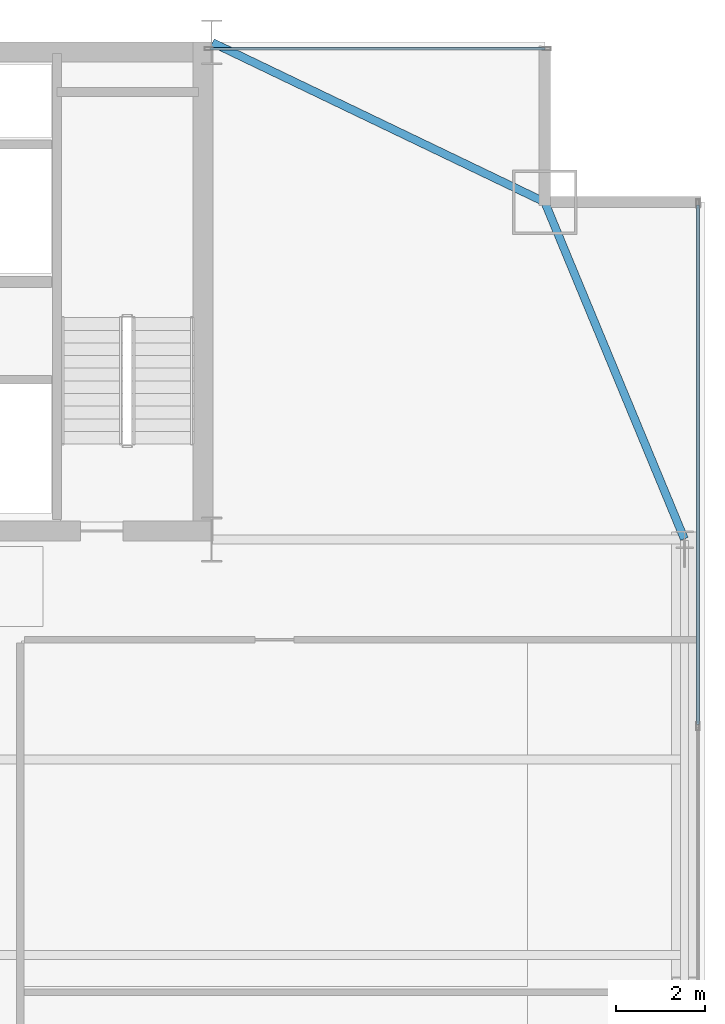
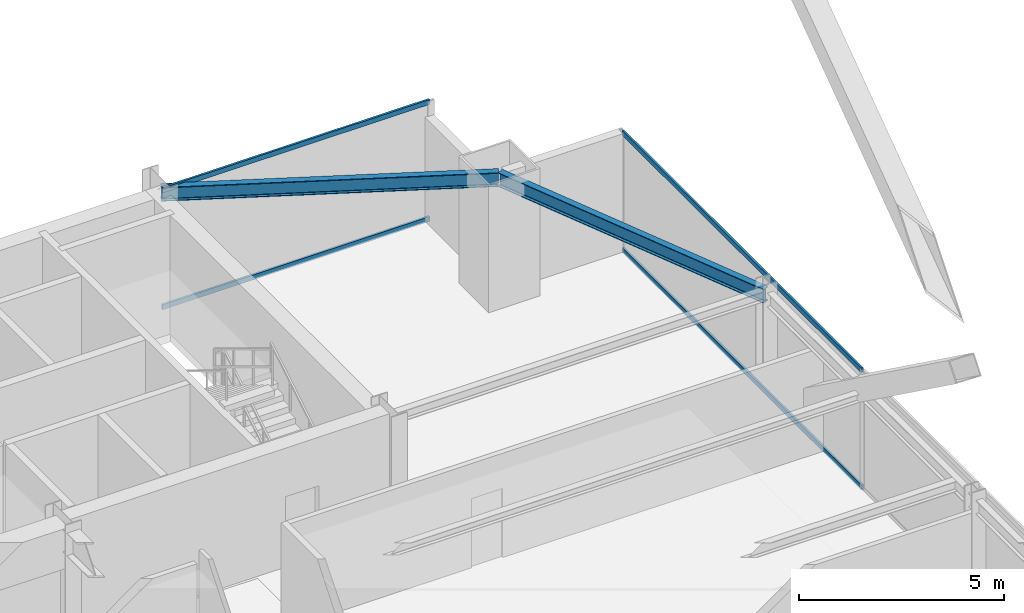
# One storey, part 26 of 37: 4 members, 2 beams, 2 elements without a shape of their own.
"""IFC4 building model written with IfcOpenShell, lengths in metres."""

import ifcopenshell
import ifcopenshell.guid

model = None  # the IFC model being written
_history = None  # IfcOwnerHistory: only IFC2X3 demands one
_inside = {}  # id of a spatial element -> (the spatial element, [elements in it])
_under = {}  # id of a project, library or spatial element -> (it, [spatial elements below it])
_declared = {}  # id of a project -> (the project, [libraries it declares])
_typed = {}  # id of a type object -> (the type object, [elements of that type])
_made_of = {}  # id of a material, layer set ... -> (it, [elements and type objects made of it])


def new_model(schema):
    """Start an empty IFC model of exactly this schema.

    Asked for "IFC4X3", IfcOpenShell would pick the latest addendum, in which some entities
    have other attributes; the version numbers below select the first issue.
    IFC2X3 requires an IfcOwnerHistory on every rooted entity: one is made here for all.
    """
    global model, _history
    if schema == "IFC4X3":
        model = ifcopenshell.file(schema_version=(4, 3, 0, 0))
    else:
        model = ifcopenshell.file(schema=schema)
    _inside.clear()
    _under.clear()
    _declared.clear()
    _typed.clear()
    _made_of.clear()
    _history = None
    if model.schema == "IFC2X3":
        org = make("IfcOrganization", Name="unknown")
        user = make(
            "IfcPersonAndOrganization",
            ThePerson=make("IfcPerson", FamilyName="unknown"),
            TheOrganization=org,
        )
        app = make(
            "IfcApplication",
            ApplicationDeveloper=org,
            Version="unknown",
            ApplicationFullName="unknown",
            ApplicationIdentifier="unknown",
        )
        _history = make(
            "IfcOwnerHistory",
            OwningUser=user,
            OwningApplication=app,
            ChangeAction="ADDED",
            CreationDate=0,
        )
    return model


def make(cls, **values):
    """One entity of the class cls with the attributes given. An attribute that is None is left unset."""
    return model.create_entity(
        cls, **{name: value for name, value in values.items() if value is not None}
    )


def rooted(cls, **values):
    """An entity with a GlobalId (a new one), such as an element, a storey or a relation."""
    return make(cls, GlobalId=ifcopenshell.guid.new(), OwnerHistory=_history, **values)


def si_unit(unit_type, name, prefix=None):
    """IfcSIUnit, for example si_unit("LENGTHUNIT", "METRE", prefix="MILLI")."""
    return make("IfcSIUnit", UnitType=unit_type, Prefix=prefix, Name=name)


def assignment(units):
    """IfcUnitAssignment: the units of a project."""
    return None if units is None else make("IfcUnitAssignment", Units=units)


def point(xyz):
    """IfcCartesianPoint."""
    return None if xyz is None else make("IfcCartesianPoint", Coordinates=xyz)


def direction(xyz):
    """IfcDirection."""
    return None if xyz is None else make("IfcDirection", DirectionRatios=xyz)


def frame(location, z_axis=None, x_axis=None):
    """IfcAxis2Placement3D, a coordinate frame: its origin and axes. An axis left out is left unset."""
    return make(
        "IfcAxis2Placement3D",
        Location=point(location),
        Axis=direction(z_axis),
        RefDirection=direction(x_axis),
    )


def frame_2d(location, x_axis=None):
    """IfcAxis2Placement2D, a coordinate frame in the plane: its origin and x axis."""
    return make(
        "IfcAxis2Placement2D", Location=point(location), RefDirection=direction(x_axis)
    )


def origin():
    """The frame at (0, 0, 0) with its axes left unset."""
    return frame((0.0, 0.0, 0.0))


def origin_2d():
    """The frame at (0, 0) in the plane with its x axis left unset."""
    return frame_2d((0.0, 0.0))


def place(relative_to, where):
    """IfcLocalPlacement: puts the frame where relative to a parent placement (None: the world)."""
    return make(
        "IfcLocalPlacement", PlacementRelTo=relative_to, RelativePlacement=where
    )


def context(
    kind, dimensions, precision=None, world=None, true_north=None, identifier=None
):
    """IfcGeometricRepresentationContext, for example the 3D "Model" context."""
    return make(
        "IfcGeometricRepresentationContext",
        ContextIdentifier=identifier,
        ContextType=kind,
        CoordinateSpaceDimension=dimensions,
        Precision=precision,
        WorldCoordinateSystem=world,
        TrueNorth=true_north,
    )


def subcontext(parent, identifier, kind, view, scale=None):
    """IfcGeometricRepresentationSubContext, for example "Body" below "Model"."""
    return make(
        "IfcGeometricRepresentationSubContext",
        ContextIdentifier=identifier,
        ContextType=kind,
        ParentContext=parent,
        TargetScale=scale,
        TargetView=view,
    )


def project(units=None, contexts=None):
    """IfcProject with its units and contexts."""
    return rooted(
        "IfcProject",
        Name="project",
        RepresentationContexts=contexts,
        UnitsInContext=assignment(units),
    )


def spatial(cls, under=None, at=None, **own):
    """A site, building, storey or space (cls), placed at a placement, below another one or the project."""
    s = rooted(cls, ObjectPlacement=at, **own)
    if under is not None:
        _under.setdefault(under.id(), (under, []))[1].append(s)
    return s


def profile(cls, at=None, kind="AREA", **sizes):
    """A parametric profile (cls). Its sizes go by their IFC names, for example OverallWidth=200.0."""
    return make(cls, ProfileType=kind, Position=at, **sizes)


def hollow_rectangle(**sizes):
    """IfcRectangleHollowProfileDef."""
    return profile("IfcRectangleHollowProfileDef", **sizes)


def i_section(**sizes):
    """IfcIShapeProfileDef."""
    return profile("IfcIShapeProfileDef", **sizes)


def extrude(swept, where, along, depth):
    """IfcExtrudedAreaSolid: the profile swept, set in the frame where, extruded along a direction by depth."""
    return make(
        "IfcExtrudedAreaSolid",
        SweptArea=swept,
        Position=where,
        ExtrudedDirection=direction(along),
        Depth=depth,
    )


def shape(context_of_items, identifier, shape_type, items):
    """IfcShapeRepresentation: the items that make up one representation, for example the "Body"."""
    return make(
        "IfcShapeRepresentation",
        ContextOfItems=context_of_items,
        RepresentationIdentifier=identifier,
        RepresentationType=shape_type,
        Items=items,
    )


def source(mapping_origin, context_of_items, identifier, shape_type, items):
    """IfcRepresentationMap: a shape defined once, which mapped items show again and again."""
    return make(
        "IfcRepresentationMap",
        MappingOrigin=mapping_origin,
        MappedRepresentation=shape(context_of_items, identifier, shape_type, items),
    )


def transform(
    local_origin,
    x_axis=None,
    y_axis=None,
    z_axis=None,
    scale=None,
    scale2=None,
    scale3=None,
    uniform=True,
):
    """IfcCartesianTransformationOperator3D, or its non-uniform kind. x_axis, y_axis, z_axis: its Axis1, 2, 3."""
    if uniform:
        return make(
            "IfcCartesianTransformationOperator3D",
            Axis1=direction(x_axis),
            Axis2=direction(y_axis),
            LocalOrigin=point(local_origin),
            Scale=scale,
            Axis3=direction(z_axis),
        )
    return make(
        "IfcCartesianTransformationOperator3DnonUniform",
        Axis1=direction(x_axis),
        Axis2=direction(y_axis),
        LocalOrigin=point(local_origin),
        Scale=scale,
        Axis3=direction(z_axis),
        Scale2=scale2,
        Scale3=scale3,
    )


def mapped(mapping_source, mapping_target):
    """IfcMappedItem: shows the shape of a source again, moved by a transform."""
    return make(
        "IfcMappedItem", MappingSource=mapping_source, MappingTarget=mapping_target
    )


def material(Name=None, Category=None):
    """IfcMaterial."""
    return make("IfcMaterial", Name=Name, Category=Category)


def layer(
    of_material, thickness, ventilated=None, Name=None, Category=None, Priority=None
):
    """IfcMaterialLayer: one layer of a wall or slab, of a material (None: an air gap)."""
    return make(
        "IfcMaterialLayer",
        Material=of_material,
        LayerThickness=thickness,
        IsVentilated=ventilated,
        Name=Name,
        Category=Category,
        Priority=Priority,
    )


def layer_set(layers, Name=None):
    """IfcMaterialLayerSet."""
    return make("IfcMaterialLayerSet", MaterialLayers=layers, LayerSetName=Name)


def material_profile(
    of_material, cross_section, Name=None, Category=None, Priority=None
):
    """IfcMaterialProfile: a cross section and its material."""
    return make(
        "IfcMaterialProfile",
        Name=Name,
        Material=of_material,
        Profile=cross_section,
        Priority=Priority,
        Category=Category,
    )


def profile_set(profiles, Name=None, composite=None):
    """IfcMaterialProfileSet."""
    return make(
        "IfcMaterialProfileSet",
        Name=Name,
        MaterialProfiles=profiles,
        CompositeProfile=composite,
    )


def made_of(thing, what):
    """Note that an element or type object is made of a material, layer set ...; save() writes the relation."""
    if what is not None:
        _made_of.setdefault(what.id(), (what, []))[1].append(thing)
    return thing


def type_object(cls, material=None, **own):
    """A type object (cls), such as IfcWallType, which elements share."""
    return made_of(rooted(cls, **own), material)


def type_shapes(of_type, sources):
    """Give a type object the sources (RepresentationMaps) that its elements show as mapped items."""
    of_type.RepresentationMaps = sources


def element(
    cls,
    number,
    at=None,
    inside=None,
    cuts=None,
    type_object=None,
    material=None,
    context=None,
    identifier="Body",
    shape_type=None,
    held_by="IfcProductDefinitionShape",
    body=None,
    shapes=None,
    **own,
):
    """One element of the class cls, such as IfcWall. Its Tag is "e" and its number.

    at: its placement. inside: the storey or other place that contains it. cuts: it is an
    opening in that element (IfcRelVoidsElement). A single representation is given by context,
    identifier, shape_type and body (its items); several are given by shapes. held_by: the class
    of the entity that holds the representations. save() writes the other relations.
    """
    e = rooted(cls, Tag="e%d" % number, ObjectPlacement=at, **own)
    if body is not None:
        shapes = [shape(context, identifier, shape_type, body)]
    if shapes is not None:
        e.Representation = make(held_by, Representations=shapes)
    if inside is not None:
        _inside.setdefault(inside.id(), (inside, []))[1].append(e)
    if cuts is not None:
        rooted(
            "IfcRelVoidsElement", RelatingBuildingElement=cuts, RelatedOpeningElement=e
        )
    if type_object is not None:
        _typed.setdefault(type_object.id(), (type_object, []))[1].append(e)
    return made_of(e, material)


def aggregate(whole, parts):
    """IfcRelAggregates: a whole, such as a stair, and the parts it consists of."""
    return rooted("IfcRelAggregates", RelatingObject=whole, RelatedObjects=parts)


def save(model, path):
    """Write the relations noted so far, then the file.

    IfcRelAggregates (storeys below a building ...), IfcRelContainedInSpatialStructure (elements
    in a storey), IfcRelDefinesByType, IfcRelAssociatesMaterial and IfcRelDeclares: one each for
    every whole, place, type object, material and project.
    """
    for whole, parts in _under.values():
        aggregate(whole, parts)
    for where, things in _inside.values():
        rooted(
            "IfcRelContainedInSpatialStructure",
            RelatedElements=things,
            RelatingStructure=where,
        )
    for kind, things in _typed.values():
        rooted("IfcRelDefinesByType", RelatedObjects=things, RelatingType=kind)
    for what, things in _made_of.values():
        rooted("IfcRelAssociatesMaterial", RelatedObjects=things, RelatingMaterial=what)
    for by, libraries in _declared.values():
        rooted("IfcRelDeclares", RelatingContext=by, RelatedDefinitions=libraries)
    model.write(path)


model = new_model("IFC4")

# Units and contexts
model_context = context("Model", 3, precision=1e-05, world=origin(), true_north=direction((0.0, 1.0)))
body_context = subcontext(model_context, "Body", "Model", "MODEL_VIEW")
ifc_project = project(units=[si_unit("LENGTHUNIT", "METRE"), si_unit("AREAUNIT", "SQUARE_METRE"), si_unit("VOLUMEUNIT", "CUBIC_METRE"), si_unit("PLANEANGLEUNIT", "RADIAN"), si_unit("MASSUNIT", "GRAM", prefix="KILO")], contexts=[model_context])

# Site, building, storey
site_placement = place(None, origin())
site = spatial("IfcSite", under=ifc_project, at=site_placement, CompositionType="ELEMENT")
building_placement = place(site_placement, origin())
building = spatial("IfcBuilding", under=site, at=building_placement, Name="Varnel Quay Broadcast Tower", CompositionType="ELEMENT")
storey_placement = place(building_placement, frame((0.0, 0.0, 103.0)))
storey = spatial("IfcBuildingStorey", under=building, at=storey_placement, Name="L24", CompositionType="ELEMENT", Elevation=103.0)

# Beams
ifc_material_1 = material(Name="Structural Steel CSA G40.21 350W", Category="steel")
ifc_material_profile_1 = material_profile(ifc_material_1, i_section(OverallWidth=0.180908203125, OverallDepth=0.4169921875, WebThickness=0.010986328125, FlangeThickness=0.018310546875, FilletRadius=0.011962890625, at=origin_2d()), Name="W410X85")
ifc_profile_set_1 = profile_set([ifc_material_profile_1], Name="Structural Steel CSA G40.21 350W")
beam_type = type_object("IfcBeamType", Name="Beam_W410X85", PredefinedType="SPANDREL", material=ifc_profile_set_1)
shared_shape_1 = source(origin(), body_context, "Body", "SweptSolid", [
    extrude(i_section(OverallWidth=0.180908203125, OverallDepth=0.4169921875, WebThickness=0.010986328125, FlangeThickness=0.018310546875, FilletRadius=0.011962890625, at=origin_2d()), origin(), (0.0, 0.0, 1.0), 8.186767578125),
])
beam_1_placement = place(storey_placement, frame((63.042236328125, 35.618408203125, 3.341552734375), z_axis=(-0.382874132092, 0.923800519038, 0.0), x_axis=(-0.923800519038, -0.382874132092, 0.0)))
element("IfcBeam", 1, at=beam_1_placement, inside=storey, type_object=beam_type, Name="L24 East Spandrel TC-E3-MC-NE", PredefinedType="SPANDREL", context=body_context, shape_type="MappedRepresentation", body=[
    mapped(shared_shape_1, transform((0.0, 0.0, 0.0), x_axis=(1.0, 0.0, 0.0), y_axis=(0.0, 1.0, 0.0), z_axis=(0.0, 0.0, 1.0), scale=1.0)),
])
shared_shape_2 = source(origin(), body_context, "Body", "SweptSolid", [
    extrude(i_section(OverallWidth=0.180908203125, OverallDepth=0.4169921875, WebThickness=0.010986328125, FlangeThickness=0.018310546875, FilletRadius=0.011962890625, at=origin_2d()), origin(), (0.0, 0.0, 1.0), 8.279296875),
])
type_shapes(beam_type, [shared_shape_1, shared_shape_2])
beam_2_placement = place(storey_placement, frame((52.41796875, 46.791259765625, 3.341552734375), z_axis=(0.901535021024, -0.432706142626, 0.0), x_axis=(0.432706142626, 0.901535021024, 0.0)))
element("IfcBeam", 2, at=beam_2_placement, inside=storey, type_object=beam_type, Name="L24 NE Tie Spandrel", PredefinedType="SPANDREL", context=body_context, shape_type="MappedRepresentation", body=[
    mapped(shared_shape_2, transform((0.0, 0.0, 0.0), x_axis=(1.0, 0.0, 0.0), y_axis=(0.0, 1.0, 0.0), z_axis=(0.0, 0.0, 1.0), scale=1.0)),
])

# Curtain wall, members
ifc_material_2 = material(Name="Anodised Bronze Aluminium 6063-T6", Category="aluminium")
ifc_layer = layer(ifc_material_2, 0.18994140625, Name="Anodised Bronze Aluminium 6063-T6")
ifc_layer_set = layer_set([ifc_layer], Name="Anodised Bronze Aluminium 6063-T6")
curtain_wall_type = type_object("IfcCurtainWallType", Name="CW_LowerTower", PredefinedType="NOTDEFINED", material=ifc_layer_set)
curtain_wall_1_placement = place(storey_placement, origin())
curtain_wall_1 = element("IfcCurtainWall", 3, at=curtain_wall_1_placement, inside=storey, type_object=curtain_wall_type, Name="L24 East Unitised Curtain Wall", PredefinedType="NOTDEFINED")
ifc_material_profile_2 = material_profile(ifc_material_2, hollow_rectangle(XDim=0.06005859375, YDim=0.14501953125, WallThickness=0.00341796875, at=origin_2d()), Name="ALU60X145X3.5")
ifc_profile_set_2 = profile_set([ifc_material_profile_2], Name="Anodised Bronze Aluminium 6063-T6")
member_type = type_object("IfcMemberType", Name="Tran_CWS-02", PredefinedType="USERDEFINED", material=ifc_profile_set_2)
shared_shape_3 = source(origin(), body_context, "Body", "SweptSolid", [
    extrude(hollow_rectangle(XDim=0.06005859375, YDim=0.14501953125, WallThickness=0.00341796875, at=origin_2d()), origin(), (0.0, 0.0, 1.0), 11.69482421875),
])
member_1_placement = place(storey_placement, frame((63.35009765625, 31.43505859375, 0.030029296875), z_axis=(0.0, 1.0, 0.0), x_axis=(-1.0, 0.0, 0.0)))
member_1 = element("IfcMember", 4, at=member_1_placement, type_object=member_type, Name="CWS-02 transom 3.1", ObjectType="TRANSOM", PredefinedType="USERDEFINED", context=body_context, shape_type="MappedRepresentation", body=[
    mapped(shared_shape_3, transform((0.0, 0.0, 0.0), x_axis=(1.0, 0.0, 0.0), y_axis=(0.0, 1.0, 0.0), z_axis=(0.0, 0.0, 1.0), scale=1.0)),
])
member_2_placement = place(storey_placement, frame((63.35009765625, 31.43505859375, 3.52001953125), z_axis=(0.0, 1.0, 0.0), x_axis=(-1.0, 0.0, 0.0)))
member_2 = element("IfcMember", 5, at=member_2_placement, type_object=member_type, Name="CWS-02 transom 3.2", ObjectType="TRANSOM", PredefinedType="USERDEFINED", context=body_context, shape_type="MappedRepresentation", body=[
    mapped(shared_shape_3, transform((0.0, 0.0, 0.0), x_axis=(1.0, 0.0, 0.0), y_axis=(0.0, 1.0, 0.0), z_axis=(0.0, 0.0, 1.0), scale=1.0)),
])
aggregate(curtain_wall_1, [member_1, member_2])

curtain_wall_2_placement = place(storey_placement, origin())
curtain_wall_2 = element("IfcCurtainWall", 6, at=curtain_wall_2_placement, inside=storey, type_object=curtain_wall_type, Name="L24 NE Wing Curtain Wall", PredefinedType="NOTDEFINED")
shared_shape_4 = source(origin(), body_context, "Body", "SweptSolid", [
    extrude(hollow_rectangle(XDim=0.06005859375, YDim=0.14501953125, WallThickness=0.00341796875, at=origin_2d()), origin(), (0.0, 0.0, 1.0), 7.539794921875),
])
type_shapes(member_type, [shared_shape_3, shared_shape_4])
member_3_placement = place(storey_placement, frame((52.3701171875, 46.64990234375, 0.030029296875), z_axis=(1.0, 0.0, 0.0), x_axis=(0.0, 1.0, 0.0)))
member_3 = element("IfcMember", 7, at=member_3_placement, type_object=member_type, Name="CWS-02 transom 1.1", ObjectType="TRANSOM", PredefinedType="USERDEFINED", context=body_context, shape_type="MappedRepresentation", body=[
    mapped(shared_shape_4, transform((0.0, 0.0, 0.0), x_axis=(1.0, 0.0, 0.0), y_axis=(0.0, 1.0, 0.0), z_axis=(0.0, 0.0, 1.0), scale=1.0)),
])
member_4_placement = place(storey_placement, frame((52.3701171875, 46.64990234375, 3.52001953125), z_axis=(1.0, 0.0, 0.0), x_axis=(0.0, 1.0, 0.0)))
member_4 = element("IfcMember", 8, at=member_4_placement, type_object=member_type, Name="CWS-02 transom 1.2", ObjectType="TRANSOM", PredefinedType="USERDEFINED", context=body_context, shape_type="MappedRepresentation", body=[
    mapped(shared_shape_4, transform((0.0, 0.0, 0.0), x_axis=(1.0, 0.0, 0.0), y_axis=(0.0, 1.0, 0.0), z_axis=(0.0, 0.0, 1.0), scale=1.0)),
])
aggregate(curtain_wall_2, [member_3, member_4])

save(model, "model.ifc")
